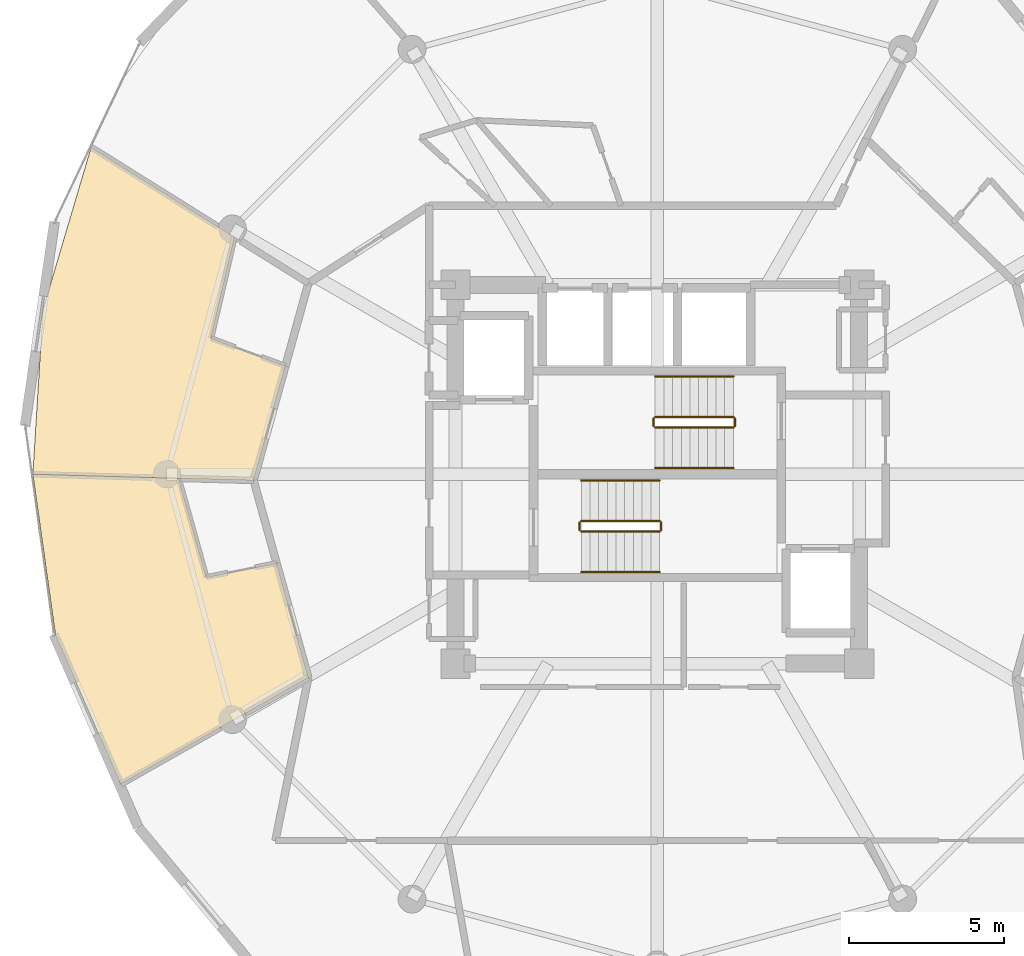
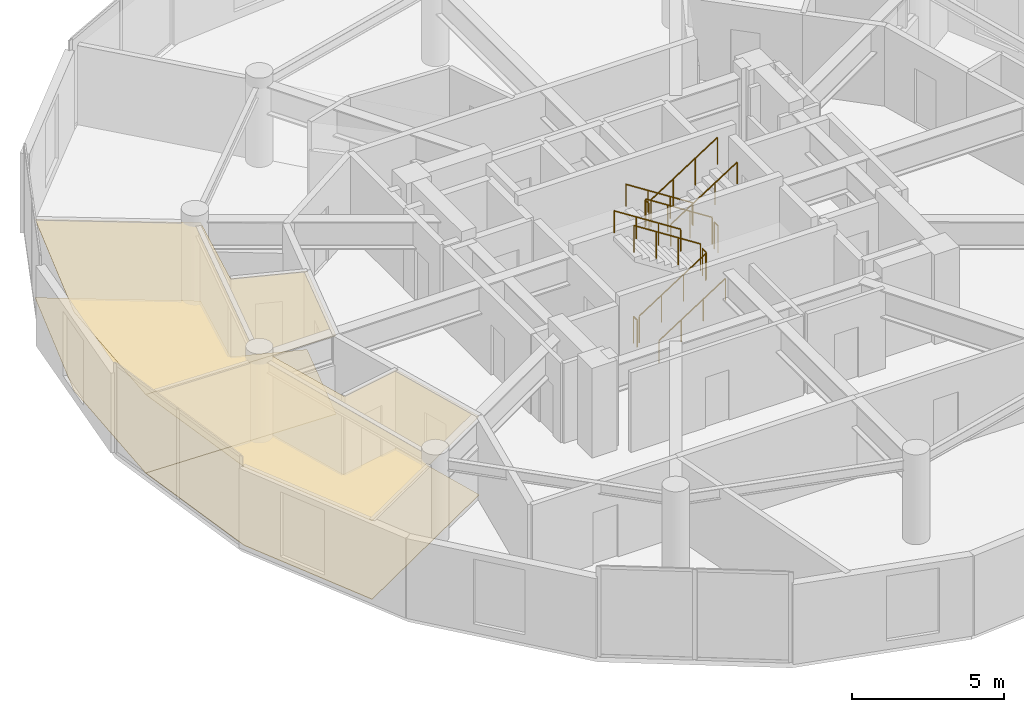
# One storey, part 21 of 22: 12 railings, 4 coverings.
"""IFC4 building model written with IfcOpenShell, lengths in metres."""

from ifc_helpers import new_model, si_unit, direction, frame, origin, origin_2d, place, context, subcontext, project, spatial, polyline, circle, outline, extrude, material, layer, layer_set, type_object, element, save


model = new_model("IFC4")

# Units and contexts
model_context = context("Model", 3, precision=1e-05, world=origin(), true_north=direction((0.0, 1.0)))
body_context = subcontext(model_context, "Body", "Model", "MODEL_VIEW")
ifc_project = project(units=[si_unit("LENGTHUNIT", "METRE"), si_unit("AREAUNIT", "SQUARE_METRE"), si_unit("VOLUMEUNIT", "CUBIC_METRE"), si_unit("PLANEANGLEUNIT", "RADIAN"), si_unit("MASSUNIT", "GRAM", prefix="KILO")], contexts=[model_context])

# Site, building, storey
site_placement = place(None, origin())
site = spatial("IfcSite", under=ifc_project, at=site_placement, CompositionType="ELEMENT")
building_placement = place(site_placement, origin())
building = spatial("IfcBuilding", under=site, at=building_placement, Name="Solvirekh Grand Hotel", CompositionType="ELEMENT")
storey_placement = place(building_placement, frame((0.0, 0.0, 230.800048828125)))
storey = spatial("IfcBuildingStorey", under=building, at=storey_placement, Name="L60", CompositionType="ELEMENT", Elevation=230.800048828125)

# Coverings
ifc_material_1 = material(Name="Acoustic Mineral Ceiling Tile")
ifc_layer_1 = layer(ifc_material_1, 0.02490234375)
ifc_layer_set_1 = layer_set([ifc_layer_1], Name="Acoustic Mineral Ceiling Tile")
covering_type_1 = type_object("IfcCoveringType", Name="Cov_Ceiling_Acoustic", PredefinedType="CEILING", material=ifc_layer_set_1)
covering_1_placement = place(storey_placement, frame((0.0, 0.0, 3.14990234375)))
element("IfcCovering", 1, at=covering_1_placement, inside=storey, type_object=covering_type_1, Name="L60 Deluxe Guestroom 6203 acoustic ceiling", PredefinedType="CEILING", context=body_context, shape_type="SweptSolid", body=[
    extrude(outline(polyline([(-14.373046875, 4.375), (-13.616943359375, 7.637939453125), (-18.23388671875, 10.527099609375), (-19.784912109375, 5.301025390625), (-20.110107421875, 0.0), (-13.0, -0.199951171875), (-11.97802734375, 3.48291015625), (-14.373046875, 4.375)])), origin(), (0.0, 0.0, 1.0), 0.01806640625),
])
covering_2_placement = place(storey_placement, frame((0.0, 0.0, 3.14990234375)))
element("IfcCovering", 2, at=covering_2_placement, inside=storey, type_object=covering_type_1, Name="L60 Deluxe Guestroom 6204 acoustic ceiling", PredefinedType="CEILING", context=body_context, shape_type="SweptSolid", body=[
    extrude(outline(polyline([(-14.52490234375, -3.31689453125), (-15.4169921875, -0.132080078125), (-20.110107421875, 0.0), (-19.37890625, -5.193115234375), (-17.282958984375, -9.97900390625), (-11.238037109375, -6.550048828125), (-12.260009765625, -2.866943359375), (-14.52490234375, -3.31689453125)])), origin(), (0.0, 0.0, 1.0), 0.01806640625),
])
ifc_material_2 = material(Name="Porcelain Stoneware Flooring", Category="masonry")
ifc_layer_2 = layer(ifc_material_2, 0.030029296875)
ifc_layer_set_2 = layer_set([ifc_layer_2], Name="Porcelain Stoneware Flooring")
covering_type_2 = type_object("IfcCoveringType", Name="Cov_Floor_Stone", PredefinedType="FLOORING", material=ifc_layer_set_2)
covering_3_placement = place(storey_placement, origin())
element("IfcCovering", 3, at=covering_3_placement, inside=storey, type_object=covering_type_2, Name="L60 Deluxe Guestroom 6203 polished granite flooring", PredefinedType="FLOORING", context=body_context, shape_type="SweptSolid", body=[
    extrude(outline(polyline([(-14.373046875, 4.375), (-13.616943359375, 7.637939453125), (-18.23388671875, 10.527099609375), (-19.784912109375, 5.301025390625), (-20.110107421875, 0.0), (-13.0, -0.199951171875), (-11.97802734375, 3.48291015625), (-14.373046875, 4.375)])), origin(), (0.0, 0.0, 1.0), 0.02001953125),
])
covering_4_placement = place(storey_placement, origin())
element("IfcCovering", 4, at=covering_4_placement, inside=storey, type_object=covering_type_2, Name="L60 Deluxe Guestroom 6204 polished granite flooring", PredefinedType="FLOORING", context=body_context, shape_type="SweptSolid", body=[
    extrude(outline(polyline([(-14.52490234375, -3.31689453125), (-15.4169921875, -0.132080078125), (-20.110107421875, 0.0), (-19.37890625, -5.193115234375), (-17.282958984375, -9.97900390625), (-11.238037109375, -6.550048828125), (-12.260009765625, -2.866943359375), (-14.52490234375, -3.31689453125)])), origin(), (0.0, 0.0, 1.0), 0.02001953125),
])

# Railings
ifc_material_3 = material(Name="Steel S355", Category="steel")
railing_type_1 = type_object("IfcRailingType", Name="Guard_Stair_1100", PredefinedType="GUARDRAIL", material=ifc_material_3)
railing_1_placement = place(storey_placement, frame((-2.449951171875, -1.85009765625, 0.179931640625)))
element("IfcRailing", 5, at=railing_1_placement, inside=storey, type_object=railing_type_1, Name="L60 ST-1 stair guard 1", PredefinedType="GUARDRAIL", context=body_context, shape_type="SweptSolid", body=[
    extrude(circle(Radius=0.02392578125, at=origin_2d()), frame((0.0, 0.0, 1.076171875), z_axis=(0.841162588446, 0.0, 0.540782303519), x_axis=(0.0, 1.0, 0.0)), (0.0, 0.0, 1.0), 2.995849609375),
    extrude(circle(Radius=0.02099609375, at=origin_2d()), origin(), (0.0, 0.0, 1.0), 1.052001953125),
    extrude(circle(Radius=0.02099609375, at=origin_2d()), frame((0.840087890625, 0.0, 0.5400390625)), (0.0, 0.0, 1.0), 1.052001953125),
    extrude(circle(Radius=0.02099609375, at=origin_2d()), frame((1.679931640625, 0.0, 1.080078125)), (0.0, 0.0, 1.0), 1.052001953125),
    extrude(circle(Radius=0.02099609375, at=origin_2d()), frame((2.52001953125, 0.0, 1.6201171875)), (0.0, 0.0, 1.0), 1.052001953125),
])
railing_2_placement = place(storey_placement, frame((0.1201171875, -1.800048828125, 1.800048828125)))
element("IfcRailing", 6, at=railing_2_placement, inside=storey, type_object=railing_type_1, Name="L60 ST-1 stair guard 2", PredefinedType="GUARDRAIL", context=body_context, shape_type="SweptSolid", body=[
    extrude(circle(Radius=0.02392578125, at=origin_2d()), frame((0.0, 0.0, 1.076171875), z_axis=(0.0, 1.0, 0.0), x_axis=(-1.0, 0.0, 0.0)), (0.0, 0.0, 1.0), 0.25),
    extrude(circle(Radius=0.02099609375, at=origin_2d()), origin(), (0.0, 0.0, 1.0), 1.052001953125),
    extrude(circle(Radius=0.02099609375, at=origin_2d()), frame((0.0, 0.25, 0.0)), (0.0, 0.0, 1.0), 1.052001953125),
])
railing_3_placement = place(storey_placement, frame((0.070068359375, -1.5, 1.97998046875)))
element("IfcRailing", 7, at=railing_3_placement, inside=storey, type_object=railing_type_1, Name="L60 ST-1 stair guard 3", PredefinedType="GUARDRAIL", context=body_context, shape_type="SweptSolid", body=[
    extrude(circle(Radius=0.02392578125, at=origin_2d()), frame((0.0, 0.0, 1.076171875), z_axis=(-0.841199657755, 0.0, 0.540724639528), x_axis=(0.0, -1.0, 0.0)), (0.0, 0.0, 1.0), 2.995849609375),
    extrude(circle(Radius=0.02099609375, at=origin_2d()), origin(), (0.0, 0.0, 1.0), 1.052001953125),
    extrude(circle(Radius=0.02099609375, at=origin_2d()), frame((-0.840087890625, 0.0, 0.5400390625)), (0.0, 0.0, 1.0), 1.052001953125),
    extrude(circle(Radius=0.02099609375, at=origin_2d()), frame((-1.679931640625, 0.0, 1.079833984375)), (0.0, 0.0, 1.0), 1.052001953125),
    extrude(circle(Radius=0.02099609375, at=origin_2d()), frame((-2.52001953125, 0.0, 1.619873046875)), (0.0, 0.0, 1.0), 1.052001953125),
])
railing_4_placement = place(storey_placement, frame((-2.5, -1.800048828125, 0.0)))
element("IfcRailing", 8, at=railing_4_placement, inside=storey, type_object=railing_type_1, Name="L60 ST-1 stair guard 4", PredefinedType="GUARDRAIL", context=body_context, shape_type="SweptSolid", body=[
    extrude(circle(Radius=0.02392578125, at=origin_2d()), frame((0.0, 0.0, 1.076171875), z_axis=(0.0, 1.0, 0.0), x_axis=(-1.0, 0.0, 0.0)), (0.0, 0.0, 1.0), 0.25),
    extrude(circle(Radius=0.02099609375, at=origin_2d()), origin(), (0.0, 0.0, 1.0), 1.052001953125),
    extrude(circle(Radius=0.02099609375, at=origin_2d()), frame((0.0, 0.25, 0.0)), (0.0, 0.0, 1.0), 1.052001953125),
])
railing_5_placement = place(storey_placement, frame((2.449951171875, 1.85009765625, 0.179931640625)))
element("IfcRailing", 9, at=railing_5_placement, inside=storey, type_object=railing_type_1, Name="L60 ST-2 stair guard 1", PredefinedType="GUARDRAIL", context=body_context, shape_type="SweptSolid", body=[
    extrude(circle(Radius=0.02392578125, at=origin_2d()), frame((0.0, 0.0, 1.076171875), z_axis=(-0.841162588446, 0.0, 0.540782303519), x_axis=(0.0, -1.0, 0.0)), (0.0, 0.0, 1.0), 2.995849609375),
    extrude(circle(Radius=0.02099609375, at=origin_2d()), origin(), (0.0, 0.0, 1.0), 1.052001953125),
    extrude(circle(Radius=0.02099609375, at=origin_2d()), frame((-0.840087890625, 0.0, 0.5400390625)), (0.0, 0.0, 1.0), 1.052001953125),
    extrude(circle(Radius=0.02099609375, at=origin_2d()), frame((-1.679931640625, 0.0, 1.080078125)), (0.0, 0.0, 1.0), 1.052001953125),
    extrude(circle(Radius=0.02099609375, at=origin_2d()), frame((-2.52001953125, 0.0, 1.6201171875)), (0.0, 0.0, 1.0), 1.052001953125),
])
railing_6_placement = place(storey_placement, frame((-0.1201171875, 1.800048828125, 1.800048828125)))
element("IfcRailing", 10, at=railing_6_placement, inside=storey, type_object=railing_type_1, Name="L60 ST-2 stair guard 2", PredefinedType="GUARDRAIL", context=body_context, shape_type="SweptSolid", body=[
    extrude(circle(Radius=0.02392578125, at=origin_2d()), frame((0.0, 0.0, 1.076171875), z_axis=(0.0, -1.0, 0.0), x_axis=(1.0, 0.0, 0.0)), (0.0, 0.0, 1.0), 0.25),
    extrude(circle(Radius=0.02099609375, at=origin_2d()), origin(), (0.0, 0.0, 1.0), 1.052001953125),
    extrude(circle(Radius=0.02099609375, at=origin_2d()), frame((0.0, -0.25, 0.0)), (0.0, 0.0, 1.0), 1.052001953125),
])
railing_7_placement = place(storey_placement, frame((-0.070068359375, 1.5, 1.97998046875)))
element("IfcRailing", 11, at=railing_7_placement, inside=storey, type_object=railing_type_1, Name="L60 ST-2 stair guard 3", PredefinedType="GUARDRAIL", context=body_context, shape_type="SweptSolid", body=[
    extrude(circle(Radius=0.02392578125, at=origin_2d()), frame((0.0, 0.0, 1.076171875), z_axis=(0.841199657755, 0.0, 0.540724639528), x_axis=(0.0, 1.0, 0.0)), (0.0, 0.0, 1.0), 2.995849609375),
    extrude(circle(Radius=0.02099609375, at=origin_2d()), origin(), (0.0, 0.0, 1.0), 1.052001953125),
    extrude(circle(Radius=0.02099609375, at=origin_2d()), frame((0.840087890625, 0.0, 0.5400390625)), (0.0, 0.0, 1.0), 1.052001953125),
    extrude(circle(Radius=0.02099609375, at=origin_2d()), frame((1.679931640625, 0.0, 1.079833984375)), (0.0, 0.0, 1.0), 1.052001953125),
    extrude(circle(Radius=0.02099609375, at=origin_2d()), frame((2.52001953125, 0.0, 1.619873046875)), (0.0, 0.0, 1.0), 1.052001953125),
])
railing_8_placement = place(storey_placement, frame((2.5, 1.800048828125, 0.0)))
element("IfcRailing", 12, at=railing_8_placement, inside=storey, type_object=railing_type_1, Name="L60 ST-2 stair guard 4", PredefinedType="GUARDRAIL", context=body_context, shape_type="SweptSolid", body=[
    extrude(circle(Radius=0.02392578125, at=origin_2d()), frame((0.0, 0.0, 1.076171875), z_axis=(0.0, -1.0, 0.0), x_axis=(1.0, 0.0, 0.0)), (0.0, 0.0, 1.0), 0.25),
    extrude(circle(Radius=0.02099609375, at=origin_2d()), origin(), (0.0, 0.0, 1.0), 1.052001953125),
    extrude(circle(Radius=0.02099609375, at=origin_2d()), frame((0.0, -0.25, 0.0)), (0.0, 0.0, 1.0), 1.052001953125),
])
ifc_material_4 = material(Name="Anodized Bronze Aluminium 6063-T6", Category="aluminium")
railing_type_2 = type_object("IfcRailingType", Name="Handrail_Wall_900", PredefinedType="HANDRAIL", material=ifc_material_4)
railing_9_placement = place(storey_placement, frame((-2.449951171875, -3.14990234375, 0.179931640625)))
element("IfcRailing", 13, at=railing_9_placement, inside=storey, type_object=railing_type_2, Name="L60 ST-1 stair handrail 1", PredefinedType="HANDRAIL", context=body_context, shape_type="SweptSolid", body=[
    extrude(circle(Radius=0.02392578125, at=origin_2d()), frame((0.0, 0.0, 0.8759765625), z_axis=(0.841162588446, 0.0, 0.540782303519), x_axis=(0.0, 1.0, 0.0)), (0.0, 0.0, 1.0), 2.995849609375),
    extrude(circle(Radius=0.02099609375, at=origin_2d()), origin(), (0.0, 0.0, 1.0), 0.851806640625),
    extrude(circle(Radius=0.02099609375, at=origin_2d()), frame((0.840087890625, 0.0, 0.5400390625)), (0.0, 0.0, 1.0), 0.851806640625),
    extrude(circle(Radius=0.02099609375, at=origin_2d()), frame((1.679931640625, 0.0, 1.080078125)), (0.0, 0.0, 1.0), 0.851806640625),
    extrude(circle(Radius=0.02099609375, at=origin_2d()), frame((2.52001953125, 0.0, 1.6201171875)), (0.0, 0.0, 1.0), 0.851806640625),
])
railing_10_placement = place(storey_placement, frame((0.070068359375, -0.199951171875, 1.97998046875)))
element("IfcRailing", 14, at=railing_10_placement, inside=storey, type_object=railing_type_2, Name="L60 ST-1 stair handrail 2", PredefinedType="HANDRAIL", context=body_context, shape_type="SweptSolid", body=[
    extrude(circle(Radius=0.02392578125, at=origin_2d()), frame((0.0, 0.0, 0.8759765625), z_axis=(-0.841199657755, 0.0, 0.540724639528), x_axis=(0.0, -1.0, 0.0)), (0.0, 0.0, 1.0), 2.995849609375),
    extrude(circle(Radius=0.02099609375, at=origin_2d()), origin(), (0.0, 0.0, 1.0), 0.851806640625),
    extrude(circle(Radius=0.02099609375, at=origin_2d()), frame((-0.840087890625, 0.0, 0.5400390625)), (0.0, 0.0, 1.0), 0.851806640625),
    extrude(circle(Radius=0.02099609375, at=origin_2d()), frame((-1.679931640625, 0.0, 1.079833984375)), (0.0, 0.0, 1.0), 0.851806640625),
    extrude(circle(Radius=0.02099609375, at=origin_2d()), frame((-2.52001953125, 0.0, 1.619873046875)), (0.0, 0.0, 1.0), 0.851806640625),
])
railing_11_placement = place(storey_placement, frame((2.449951171875, 3.14990234375, 0.179931640625)))
element("IfcRailing", 15, at=railing_11_placement, inside=storey, type_object=railing_type_2, Name="L60 ST-2 stair handrail 1", PredefinedType="HANDRAIL", context=body_context, shape_type="SweptSolid", body=[
    extrude(circle(Radius=0.02392578125, at=origin_2d()), frame((0.0, 0.0, 0.8759765625), z_axis=(-0.841162588446, 0.0, 0.540782303519), x_axis=(0.0, -1.0, 0.0)), (0.0, 0.0, 1.0), 2.995849609375),
    extrude(circle(Radius=0.02099609375, at=origin_2d()), origin(), (0.0, 0.0, 1.0), 0.851806640625),
    extrude(circle(Radius=0.02099609375, at=origin_2d()), frame((-0.840087890625, 0.0, 0.5400390625)), (0.0, 0.0, 1.0), 0.851806640625),
    extrude(circle(Radius=0.02099609375, at=origin_2d()), frame((-1.679931640625, 0.0, 1.080078125)), (0.0, 0.0, 1.0), 0.851806640625),
    extrude(circle(Radius=0.02099609375, at=origin_2d()), frame((-2.52001953125, 0.0, 1.6201171875)), (0.0, 0.0, 1.0), 0.851806640625),
])
railing_12_placement = place(storey_placement, frame((-0.070068359375, 0.199951171875, 1.97998046875)))
element("IfcRailing", 16, at=railing_12_placement, inside=storey, type_object=railing_type_2, Name="L60 ST-2 stair handrail 2", PredefinedType="HANDRAIL", context=body_context, shape_type="SweptSolid", body=[
    extrude(circle(Radius=0.02392578125, at=origin_2d()), frame((0.0, 0.0, 0.8759765625), z_axis=(0.841199657755, 0.0, 0.540724639528), x_axis=(0.0, 1.0, 0.0)), (0.0, 0.0, 1.0), 2.995849609375),
    extrude(circle(Radius=0.02099609375, at=origin_2d()), origin(), (0.0, 0.0, 1.0), 0.851806640625),
    extrude(circle(Radius=0.02099609375, at=origin_2d()), frame((0.840087890625, 0.0, 0.5400390625)), (0.0, 0.0, 1.0), 0.851806640625),
    extrude(circle(Radius=0.02099609375, at=origin_2d()), frame((1.679931640625, 0.0, 1.079833984375)), (0.0, 0.0, 1.0), 0.851806640625),
    extrude(circle(Radius=0.02099609375, at=origin_2d()), frame((2.52001953125, 0.0, 1.619873046875)), (0.0, 0.0, 1.0), 0.851806640625),
])

save(model, "model.ifc")
